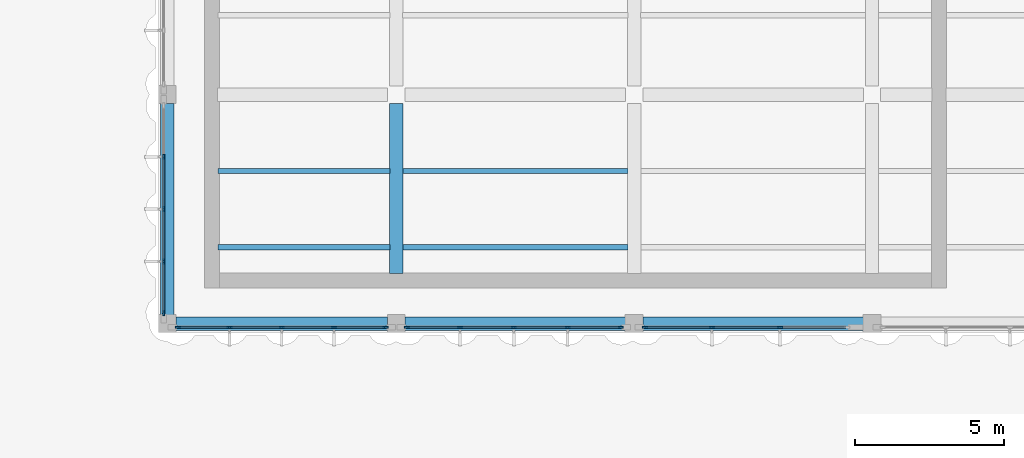
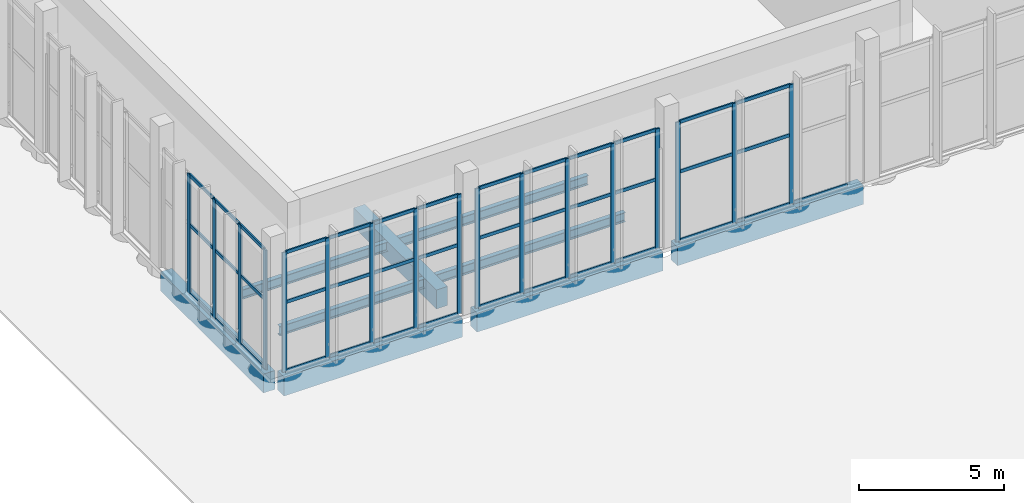
# One storey, part 22 of 155: 57 members, 9 beams, 4 elements without a shape of their own.
"""IFC4 building model written with IfcOpenShell, lengths in metres."""

import ifcopenshell
import ifcopenshell.guid

model = None  # the IFC model being written
_history = None  # IfcOwnerHistory: only IFC2X3 demands one
_inside = {}  # id of a spatial element -> (the spatial element, [elements in it])
_under = {}  # id of a project, library or spatial element -> (it, [spatial elements below it])
_declared = {}  # id of a project -> (the project, [libraries it declares])
_typed = {}  # id of a type object -> (the type object, [elements of that type])
_made_of = {}  # id of a material, layer set ... -> (it, [elements and type objects made of it])


def new_model(schema):
    """Start an empty IFC model of exactly this schema.

    Asked for "IFC4X3", IfcOpenShell would pick the latest addendum, in which some entities
    have other attributes; the version numbers below select the first issue.
    IFC2X3 requires an IfcOwnerHistory on every rooted entity: one is made here for all.
    """
    global model, _history
    if schema == "IFC4X3":
        model = ifcopenshell.file(schema_version=(4, 3, 0, 0))
    else:
        model = ifcopenshell.file(schema=schema)
    _inside.clear()
    _under.clear()
    _declared.clear()
    _typed.clear()
    _made_of.clear()
    _history = None
    if model.schema == "IFC2X3":
        org = make("IfcOrganization", Name="unknown")
        user = make(
            "IfcPersonAndOrganization",
            ThePerson=make("IfcPerson", FamilyName="unknown"),
            TheOrganization=org,
        )
        app = make(
            "IfcApplication",
            ApplicationDeveloper=org,
            Version="unknown",
            ApplicationFullName="unknown",
            ApplicationIdentifier="unknown",
        )
        _history = make(
            "IfcOwnerHistory",
            OwningUser=user,
            OwningApplication=app,
            ChangeAction="ADDED",
            CreationDate=0,
        )
    return model


def make(cls, **values):
    """One entity of the class cls with the attributes given. An attribute that is None is left unset."""
    return model.create_entity(
        cls, **{name: value for name, value in values.items() if value is not None}
    )


def rooted(cls, **values):
    """An entity with a GlobalId (a new one), such as an element, a storey or a relation."""
    return make(cls, GlobalId=ifcopenshell.guid.new(), OwnerHistory=_history, **values)


def si_unit(unit_type, name, prefix=None):
    """IfcSIUnit, for example si_unit("LENGTHUNIT", "METRE", prefix="MILLI")."""
    return make("IfcSIUnit", UnitType=unit_type, Prefix=prefix, Name=name)


def assignment(units):
    """IfcUnitAssignment: the units of a project."""
    return None if units is None else make("IfcUnitAssignment", Units=units)


def point(xyz):
    """IfcCartesianPoint."""
    return None if xyz is None else make("IfcCartesianPoint", Coordinates=xyz)


def direction(xyz):
    """IfcDirection."""
    return None if xyz is None else make("IfcDirection", DirectionRatios=xyz)


def frame(location, z_axis=None, x_axis=None):
    """IfcAxis2Placement3D, a coordinate frame: its origin and axes. An axis left out is left unset."""
    return make(
        "IfcAxis2Placement3D",
        Location=point(location),
        Axis=direction(z_axis),
        RefDirection=direction(x_axis),
    )


def frame_2d(location, x_axis=None):
    """IfcAxis2Placement2D, a coordinate frame in the plane: its origin and x axis."""
    return make(
        "IfcAxis2Placement2D", Location=point(location), RefDirection=direction(x_axis)
    )


def origin():
    """The frame at (0, 0, 0) with its axes left unset."""
    return frame((0.0, 0.0, 0.0))


def origin_2d():
    """The frame at (0, 0) in the plane with its x axis left unset."""
    return frame_2d((0.0, 0.0))


def place(relative_to, where):
    """IfcLocalPlacement: puts the frame where relative to a parent placement (None: the world)."""
    return make(
        "IfcLocalPlacement", PlacementRelTo=relative_to, RelativePlacement=where
    )


def context(
    kind, dimensions, precision=None, world=None, true_north=None, identifier=None
):
    """IfcGeometricRepresentationContext, for example the 3D "Model" context."""
    return make(
        "IfcGeometricRepresentationContext",
        ContextIdentifier=identifier,
        ContextType=kind,
        CoordinateSpaceDimension=dimensions,
        Precision=precision,
        WorldCoordinateSystem=world,
        TrueNorth=true_north,
    )


def subcontext(parent, identifier, kind, view, scale=None):
    """IfcGeometricRepresentationSubContext, for example "Body" below "Model"."""
    return make(
        "IfcGeometricRepresentationSubContext",
        ContextIdentifier=identifier,
        ContextType=kind,
        ParentContext=parent,
        TargetScale=scale,
        TargetView=view,
    )


def project(units=None, contexts=None):
    """IfcProject with its units and contexts."""
    return rooted(
        "IfcProject",
        Name="project",
        RepresentationContexts=contexts,
        UnitsInContext=assignment(units),
    )


def spatial(cls, under=None, at=None, **own):
    """A site, building, storey or space (cls), placed at a placement, below another one or the project."""
    s = rooted(cls, ObjectPlacement=at, **own)
    if under is not None:
        _under.setdefault(under.id(), (under, []))[1].append(s)
    return s


def profile(cls, at=None, kind="AREA", **sizes):
    """A parametric profile (cls). Its sizes go by their IFC names, for example OverallWidth=200.0."""
    return make(cls, ProfileType=kind, Position=at, **sizes)


def rectangle(**sizes):
    """IfcRectangleProfileDef."""
    return profile("IfcRectangleProfileDef", **sizes)


def i_section(**sizes):
    """IfcIShapeProfileDef."""
    return profile("IfcIShapeProfileDef", **sizes)


def extrude(swept, where, along, depth):
    """IfcExtrudedAreaSolid: the profile swept, set in the frame where, extruded along a direction by depth."""
    return make(
        "IfcExtrudedAreaSolid",
        SweptArea=swept,
        Position=where,
        ExtrudedDirection=direction(along),
        Depth=depth,
    )


def shape(context_of_items, identifier, shape_type, items):
    """IfcShapeRepresentation: the items that make up one representation, for example the "Body"."""
    return make(
        "IfcShapeRepresentation",
        ContextOfItems=context_of_items,
        RepresentationIdentifier=identifier,
        RepresentationType=shape_type,
        Items=items,
    )


def material(Name=None, Category=None):
    """IfcMaterial."""
    return make("IfcMaterial", Name=Name, Category=Category)


def layer(
    of_material, thickness, ventilated=None, Name=None, Category=None, Priority=None
):
    """IfcMaterialLayer: one layer of a wall or slab, of a material (None: an air gap)."""
    return make(
        "IfcMaterialLayer",
        Material=of_material,
        LayerThickness=thickness,
        IsVentilated=ventilated,
        Name=Name,
        Category=Category,
        Priority=Priority,
    )


def layer_set(layers, Name=None):
    """IfcMaterialLayerSet."""
    return make("IfcMaterialLayerSet", MaterialLayers=layers, LayerSetName=Name)


def material_profile(
    of_material, cross_section, Name=None, Category=None, Priority=None
):
    """IfcMaterialProfile: a cross section and its material."""
    return make(
        "IfcMaterialProfile",
        Name=Name,
        Material=of_material,
        Profile=cross_section,
        Priority=Priority,
        Category=Category,
    )


def profile_set(profiles, Name=None, composite=None):
    """IfcMaterialProfileSet."""
    return make(
        "IfcMaterialProfileSet",
        Name=Name,
        MaterialProfiles=profiles,
        CompositeProfile=composite,
    )


def made_of(thing, what):
    """Note that an element or type object is made of a material, layer set ...; save() writes the relation."""
    if what is not None:
        _made_of.setdefault(what.id(), (what, []))[1].append(thing)
    return thing


def type_object(cls, material=None, **own):
    """A type object (cls), such as IfcWallType, which elements share."""
    return made_of(rooted(cls, **own), material)


def element(
    cls,
    number,
    at=None,
    inside=None,
    cuts=None,
    type_object=None,
    material=None,
    context=None,
    identifier="Body",
    shape_type=None,
    held_by="IfcProductDefinitionShape",
    body=None,
    shapes=None,
    **own,
):
    """One element of the class cls, such as IfcWall. Its Tag is "e" and its number.

    at: its placement. inside: the storey or other place that contains it. cuts: it is an
    opening in that element (IfcRelVoidsElement). A single representation is given by context,
    identifier, shape_type and body (its items); several are given by shapes. held_by: the class
    of the entity that holds the representations. save() writes the other relations.
    """
    e = rooted(cls, Tag="e%d" % number, ObjectPlacement=at, **own)
    if body is not None:
        shapes = [shape(context, identifier, shape_type, body)]
    if shapes is not None:
        e.Representation = make(held_by, Representations=shapes)
    if inside is not None:
        _inside.setdefault(inside.id(), (inside, []))[1].append(e)
    if cuts is not None:
        rooted(
            "IfcRelVoidsElement", RelatingBuildingElement=cuts, RelatedOpeningElement=e
        )
    if type_object is not None:
        _typed.setdefault(type_object.id(), (type_object, []))[1].append(e)
    return made_of(e, material)


def aggregate(whole, parts):
    """IfcRelAggregates: a whole, such as a stair, and the parts it consists of."""
    return rooted("IfcRelAggregates", RelatingObject=whole, RelatedObjects=parts)


def save(model, path):
    """Write the relations noted so far, then the file.

    IfcRelAggregates (storeys below a building ...), IfcRelContainedInSpatialStructure (elements
    in a storey), IfcRelDefinesByType, IfcRelAssociatesMaterial and IfcRelDeclares: one each for
    every whole, place, type object, material and project.
    """
    for whole, parts in _under.values():
        aggregate(whole, parts)
    for where, things in _inside.values():
        rooted(
            "IfcRelContainedInSpatialStructure",
            RelatedElements=things,
            RelatingStructure=where,
        )
    for kind, things in _typed.values():
        rooted("IfcRelDefinesByType", RelatedObjects=things, RelatingType=kind)
    for what, things in _made_of.values():
        rooted("IfcRelAssociatesMaterial", RelatedObjects=things, RelatingMaterial=what)
    for by, libraries in _declared.values():
        rooted("IfcRelDeclares", RelatingContext=by, RelatedDefinitions=libraries)
    model.write(path)


model = new_model("IFC4")

# Units and contexts
model_context = context("Model", 3, precision=1e-05, world=origin(), true_north=direction((0.0, 1.0)))
body_context = subcontext(model_context, "Body", "Model", "MODEL_VIEW")
ifc_project = project(units=[si_unit("LENGTHUNIT", "METRE"), si_unit("AREAUNIT", "SQUARE_METRE"), si_unit("VOLUMEUNIT", "CUBIC_METRE"), si_unit("PLANEANGLEUNIT", "RADIAN"), si_unit("MASSUNIT", "GRAM", prefix="KILO")], contexts=[model_context])

# Site, building, storey
site_placement = place(None, origin())
site = spatial("IfcSite", under=ifc_project, at=site_placement, CompositionType="ELEMENT")
building_placement = place(site_placement, origin())
building = spatial("IfcBuilding", under=site, at=building_placement, Name="Lunette Opera House", CompositionType="ELEMENT")
storey_placement = place(building_placement, origin())
storey = spatial("IfcBuildingStorey", under=building, at=storey_placement, Name="L00", CompositionType="ELEMENT", Elevation=0.0)

# Curtain wall, members
ifc_material_1 = material(Name="Aluminium", Category="aluminium")
ifc_layer = layer(ifc_material_1, 0.179931640625)
ifc_layer_set = layer_set([ifc_layer], Name="Aluminium")
curtain_wall_type = type_object("IfcCurtainWallType", Name="SUN FACE CURTAIN WALL", PredefinedType="NOTDEFINED", material=ifc_layer_set)
curtain_wall_1_placement = place(storey_placement, origin())
curtain_wall_1 = element("IfcCurtainWall", 1, at=curtain_wall_1_placement, inside=storey, type_object=curtain_wall_type, Name="Sun Face Curtain Wall F12 L00", PredefinedType="NOTDEFINED")
ifc_material_2 = material(Name="Aluminium", Category="aluminium")
ifc_material_profile_1 = material_profile(ifc_material_2, rectangle(XDim=0.06005859375, YDim=0.179931640625, at=origin_2d()), Name="MULLION 60 X 180")
ifc_profile_set_1 = profile_set([ifc_material_profile_1], Name="Aluminium")
member_type_1 = type_object("IfcMemberType", Name="MULLION 60 X 180", PredefinedType="MULLION", material=ifc_profile_set_1)
member_1_placement = place(storey_placement, frame((8.181884765625, 69.909912109375, 0.0), z_axis=(0.0, 0.0, 1.0), x_axis=(1.0, 0.0, 0.0)))
member_1 = element("IfcMember", 2, at=member_1_placement, type_object=member_type_1, Name="RW-X2006 mullion 2", PredefinedType="MULLION", context=body_context, shape_type="SweptSolid", body=[
    extrude(rectangle(XDim=0.06005859375, YDim=0.179931640625, at=origin_2d()), origin(), (0.0, 0.0, 1.0), 5.050048828125),
])
member_2_placement = place(storey_placement, frame((8.181884765625, 68.14990234375, 0.0), z_axis=(0.0, 0.0, 1.0), x_axis=(1.0, 0.0, 0.0)))
member_2 = element("IfcMember", 3, at=member_2_placement, type_object=member_type_1, Name="RW-X2006 mullion 3", PredefinedType="MULLION", context=body_context, shape_type="SweptSolid", body=[
    extrude(rectangle(XDim=0.06005859375, YDim=0.179931640625, at=origin_2d()), origin(), (0.0, 0.0, 1.0), 5.050048828125),
])
member_3_placement = place(storey_placement, frame((8.181884765625, 66.389892578125, 0.0), z_axis=(0.0, 0.0, 1.0), x_axis=(1.0, 0.0, 0.0)))
member_3 = element("IfcMember", 4, at=member_3_placement, type_object=member_type_1, Name="RW-X2006 mullion 4", PredefinedType="MULLION", context=body_context, shape_type="SweptSolid", body=[
    extrude(rectangle(XDim=0.06005859375, YDim=0.179931640625, at=origin_2d()), origin(), (0.0, 0.0, 1.0), 5.050048828125),
])
member_4_placement = place(storey_placement, frame((8.181884765625, 64.659912109375, 0.0), z_axis=(0.0, 0.0, 1.0), x_axis=(1.0, 0.0, 0.0)))
member_4 = element("IfcMember", 5, at=member_4_placement, type_object=member_type_1, Name="RW-X2006 mullion 5", PredefinedType="MULLION", context=body_context, shape_type="SweptSolid", body=[
    extrude(rectangle(XDim=0.06005859375, YDim=0.179931640625, at=origin_2d()), origin(), (0.0, 0.0, 1.0), 5.050048828125),
])

curtain_wall_2_placement = place(storey_placement, origin())
curtain_wall_2 = element("IfcCurtainWall", 6, at=curtain_wall_2_placement, inside=storey, type_object=curtain_wall_type, Name="Sun Face Curtain Wall F13 L00", PredefinedType="NOTDEFINED")
member_5_placement = place(storey_placement, frame((8.659912109375, 64.18310546875, 0.0), z_axis=(0.0, 0.0, 1.0), x_axis=(0.0, 1.0, 0.0)))
member_5 = element("IfcMember", 7, at=member_5_placement, type_object=member_type_1, Name="RW-X2007 mullion 1", PredefinedType="MULLION", context=body_context, shape_type="SweptSolid", body=[
    extrude(rectangle(XDim=0.06005859375, YDim=0.179931640625, at=origin_2d()), origin(), (0.0, 0.0, 1.0), 5.050048828125),
])
member_6_placement = place(storey_placement, frame((10.389892578125, 64.18310546875, 0.0), z_axis=(0.0, 0.0, 1.0), x_axis=(0.0, 1.0, 0.0)))
member_6 = element("IfcMember", 8, at=member_6_placement, type_object=member_type_1, Name="RW-X2007 mullion 2", PredefinedType="MULLION", context=body_context, shape_type="SweptSolid", body=[
    extrude(rectangle(XDim=0.06005859375, YDim=0.179931640625, at=origin_2d()), origin(), (0.0, 0.0, 1.0), 5.050048828125),
])
member_7_placement = place(storey_placement, frame((12.14990234375, 64.18310546875, 0.0), z_axis=(0.0, 0.0, 1.0), x_axis=(0.0, 1.0, 0.0)))
member_7 = element("IfcMember", 9, at=member_7_placement, type_object=member_type_1, Name="RW-X2007 mullion 3", PredefinedType="MULLION", context=body_context, shape_type="SweptSolid", body=[
    extrude(rectangle(XDim=0.06005859375, YDim=0.179931640625, at=origin_2d()), origin(), (0.0, 0.0, 1.0), 5.050048828125),
])
member_8_placement = place(storey_placement, frame((13.909912109375, 64.18310546875, 0.0), z_axis=(0.0, 0.0, 1.0), x_axis=(0.0, 1.0, 0.0)))
member_8 = element("IfcMember", 10, at=member_8_placement, type_object=member_type_1, Name="RW-X2007 mullion 4", PredefinedType="MULLION", context=body_context, shape_type="SweptSolid", body=[
    extrude(rectangle(XDim=0.06005859375, YDim=0.179931640625, at=origin_2d()), origin(), (0.0, 0.0, 1.0), 5.050048828125),
])
member_9_placement = place(storey_placement, frame((15.639892578125, 64.18310546875, 0.0), z_axis=(0.0, 0.0, 1.0), x_axis=(0.0, 1.0, 0.0)))
member_9 = element("IfcMember", 11, at=member_9_placement, type_object=member_type_1, Name="RW-X2007 mullion 5", PredefinedType="MULLION", context=body_context, shape_type="SweptSolid", body=[
    extrude(rectangle(XDim=0.06005859375, YDim=0.179931640625, at=origin_2d()), origin(), (0.0, 0.0, 1.0), 5.050048828125),
])

curtain_wall_3_placement = place(storey_placement, origin())
curtain_wall_3 = element("IfcCurtainWall", 12, at=curtain_wall_3_placement, inside=storey, type_object=curtain_wall_type, Name="Sun Face Curtain Wall F14 L00", PredefinedType="NOTDEFINED")
member_10_placement = place(storey_placement, frame((16.360107421875, 64.18310546875, 0.0), z_axis=(0.0, 0.0, 1.0), x_axis=(0.0, 1.0, 0.0)))
member_10 = element("IfcMember", 13, at=member_10_placement, type_object=member_type_1, Name="RW-X2008 mullion 1", PredefinedType="MULLION", context=body_context, shape_type="SweptSolid", body=[
    extrude(rectangle(XDim=0.06005859375, YDim=0.179931640625, at=origin_2d()), origin(), (0.0, 0.0, 1.0), 5.050048828125),
])
member_11_placement = place(storey_placement, frame((18.141845703125, 64.18310546875, 0.0), z_axis=(0.0, 0.0, 1.0), x_axis=(0.0, 1.0, 0.0)))
member_11 = element("IfcMember", 14, at=member_11_placement, type_object=member_type_1, Name="RW-X2008 mullion 2", PredefinedType="MULLION", context=body_context, shape_type="SweptSolid", body=[
    extrude(rectangle(XDim=0.06005859375, YDim=0.179931640625, at=origin_2d()), origin(), (0.0, 0.0, 1.0), 5.050048828125),
])
member_12_placement = place(storey_placement, frame((19.95361328125, 64.18310546875, 0.0), z_axis=(0.0, 0.0, 1.0), x_axis=(0.0, 1.0, 0.0)))
member_12 = element("IfcMember", 15, at=member_12_placement, type_object=member_type_1, Name="RW-X2008 mullion 3", PredefinedType="MULLION", context=body_context, shape_type="SweptSolid", body=[
    extrude(rectangle(XDim=0.06005859375, YDim=0.179931640625, at=origin_2d()), origin(), (0.0, 0.0, 1.0), 5.050048828125),
])
member_13_placement = place(storey_placement, frame((21.76513671875, 64.18310546875, 0.0), z_axis=(0.0, 0.0, 1.0), x_axis=(0.0, 1.0, 0.0)))
member_13 = element("IfcMember", 16, at=member_13_placement, type_object=member_type_1, Name="RW-X2008 mullion 4", PredefinedType="MULLION", context=body_context, shape_type="SweptSolid", body=[
    extrude(rectangle(XDim=0.06005859375, YDim=0.179931640625, at=origin_2d()), origin(), (0.0, 0.0, 1.0), 5.050048828125),
])
member_14_placement = place(storey_placement, frame((23.547119140625, 64.18310546875, 0.0), z_axis=(0.0, 0.0, 1.0), x_axis=(0.0, 1.0, 0.0)))
member_14 = element("IfcMember", 17, at=member_14_placement, type_object=member_type_1, Name="RW-X2008 mullion 5", PredefinedType="MULLION", context=body_context, shape_type="SweptSolid", body=[
    extrude(rectangle(XDim=0.06005859375, YDim=0.179931640625, at=origin_2d()), origin(), (0.0, 0.0, 1.0), 5.050048828125),
])

curtain_wall_4_placement = place(storey_placement, origin())
curtain_wall_4 = element("IfcCurtainWall", 18, at=curtain_wall_4_placement, inside=storey, type_object=curtain_wall_type, Name="Sun Face Curtain Wall F15 L00", PredefinedType="NOTDEFINED")
member_15_placement = place(storey_placement, frame((24.360107421875, 64.18310546875, 0.0), z_axis=(0.0, 0.0, 1.0), x_axis=(0.0, 1.0, 0.0)))
member_15 = element("IfcMember", 19, at=member_15_placement, type_object=member_type_1, Name="RW-X2009 mullion 1", PredefinedType="MULLION", context=body_context, shape_type="SweptSolid", body=[
    extrude(rectangle(XDim=0.06005859375, YDim=0.179931640625, at=origin_2d()), origin(), (0.0, 0.0, 1.0), 5.050048828125),
])
member_16_placement = place(storey_placement, frame((26.6142578125, 64.18310546875, 0.0), z_axis=(0.0, 0.0, 1.0), x_axis=(0.0, 1.0, 0.0)))
member_16 = element("IfcMember", 20, at=member_16_placement, type_object=member_type_1, Name="RW-X2009 mullion 2", PredefinedType="MULLION", context=body_context, shape_type="SweptSolid", body=[
    extrude(rectangle(XDim=0.06005859375, YDim=0.179931640625, at=origin_2d()), origin(), (0.0, 0.0, 1.0), 5.050048828125),
])
member_17_placement = place(storey_placement, frame((28.898681640625, 64.18310546875, 0.0), z_axis=(0.0, 0.0, 1.0), x_axis=(0.0, 1.0, 0.0)))
member_17 = element("IfcMember", 21, at=member_17_placement, type_object=member_type_1, Name="RW-X2009 mullion 3", PredefinedType="MULLION", context=body_context, shape_type="SweptSolid", body=[
    extrude(rectangle(XDim=0.06005859375, YDim=0.179931640625, at=origin_2d()), origin(), (0.0, 0.0, 1.0), 5.050048828125),
])

# Beams
ifc_material_3 = material(Name="Concrete C35/45", Category="concrete")
ifc_material_profile_2 = material_profile(ifc_material_3, rectangle(XDim=0.449951171875, YDim=0.800048828125, at=origin_2d()), Name="RC BEAM 450X800")
ifc_profile_set_2 = profile_set([ifc_material_profile_2], Name="Concrete C35/45")
beam_type_1 = type_object("IfcBeamType", Name="RC BEAM 450X800", PredefinedType="BEAM", material=ifc_profile_set_2)
beam_1_placement = place(storey_placement, frame((8.300048828125, 64.590087890625, -0.550048828125), z_axis=(0.0, 1.0, 0.0), x_axis=(-1.0, 0.0, 0.0)))
element("IfcBeam", 22, at=beam_1_placement, inside=storey, type_object=beam_type_1, Name="beam-RW-L00-L00-GY00", PredefinedType="BEAM", context=body_context, shape_type="SweptSolid", body=[
    extrude(rectangle(XDim=0.449951171875, YDim=0.800048828125, at=origin_2d()), origin(), (0.0, 0.0, 1.0), 7.119873046875),
])
beam_2_placement = place(storey_placement, frame((16.0, 65.989990234375, -0.550048828125), z_axis=(0.0, 1.0, 0.0), x_axis=(-1.0, 0.0, 0.0)))
element("IfcBeam", 23, at=beam_2_placement, inside=storey, type_object=beam_type_1, Name="beam-RW-L00-L00-GY10", PredefinedType="BEAM", context=body_context, shape_type="SweptSolid", body=[
    extrude(rectangle(XDim=0.449951171875, YDim=0.800048828125, at=origin_2d()), origin(), (0.0, 0.0, 1.0), 5.719970703125),
])
beam_3_placement = place(storey_placement, frame((8.590087890625, 64.300048828125, -0.550048828125), z_axis=(1.0, 0.0, 0.0), x_axis=(0.0, 1.0, 0.0)))
element("IfcBeam", 24, at=beam_3_placement, inside=storey, type_object=beam_type_1, Name="beam-RW-L00-L00-GX00", PredefinedType="BEAM", context=body_context, shape_type="SweptSolid", body=[
    extrude(rectangle(XDim=0.449951171875, YDim=0.800048828125, at=origin_2d()), origin(), (0.0, 0.0, 1.0), 7.119873046875),
])
for number, where, z_axis, x_axis, name in (
    (25, (16.2900390625, 64.300048828125, -0.550048828125), (1.0, 0.0, 0.0), (0.0, 1.0, 0.0), "beam-RW-L00-L00-GX10"),
    (26, (24.2900390625, 64.300048828125, -0.550048828125), (1.0, 0.0, 0.0), (0.0, 1.0, 0.0), "beam-RW-L00-L00-GX20"),
):
    element("IfcBeam", number, at=place(storey_placement, frame(where, z_axis=z_axis, x_axis=x_axis)), inside=storey, type_object=beam_type_1, Name=name, PredefinedType="BEAM", context=body_context, shape_type="SweptSolid", body=[
        extrude(rectangle(XDim=0.449951171875, YDim=0.800048828125, at=origin_2d()), origin(), (0.0, 0.0, 1.0), 7.419921875),
    ])
ifc_material_4 = material(Name="Steel S355", Category="steel")
ifc_material_profile_3 = material_profile(ifc_material_4, i_section(OverallWidth=0.179931640625, OverallDepth=0.39990234375, WebThickness=0.008544921875, FlangeThickness=0.013427734375, FilletRadius=0.02099609375, at=origin_2d()), Name="IPE 400")
ifc_profile_set_3 = profile_set([ifc_material_profile_3], Name="Steel S355")
beam_type_2 = type_object("IfcBeamType", Name="STEEL BEAM IPE 400", PredefinedType="BEAM", material=ifc_profile_set_3)
for number, where, z_axis, x_axis, name in (
    (27, (10.0, 66.866943359375, -0.35009765625), (1.0, 0.0, 0.0), (0.0, 1.0, 0.0), "beam-RW-L00-L00-SX001-01"),
    (28, (10.0, 69.43310546875, -0.35009765625), (1.0, 0.0, 0.0), (0.0, 1.0, 0.0), "beam-RW-L00-L00-SX002-01"),
):
    element("IfcBeam", number, at=place(storey_placement, frame(where, z_axis=z_axis, x_axis=x_axis)), inside=storey, type_object=beam_type_2, Name=name, PredefinedType="BEAM", context=body_context, shape_type="SweptSolid", body=[
        extrude(i_section(OverallWidth=0.179931640625, OverallDepth=0.39990234375, WebThickness=0.008544921875, FlangeThickness=0.013427734375, FilletRadius=0.02099609375, at=origin_2d()), origin(), (0.0, 0.0, 1.0), 5.784912109375),
    ])
for number, where, z_axis, x_axis, name in (
    (29, (16.215087890625, 66.866943359375, -0.35009765625), (1.0, 0.0, 0.0), (0.0, 1.0, 0.0), "beam-RW-L00-L00-SX101"),
    (30, (16.215087890625, 69.43310546875, -0.35009765625), (1.0, 0.0, 0.0), (0.0, 1.0, 0.0), "beam-RW-L00-L00-SX102"),
):
    element("IfcBeam", number, at=place(storey_placement, frame(where, z_axis=z_axis, x_axis=x_axis)), inside=storey, type_object=beam_type_2, Name=name, PredefinedType="BEAM", context=body_context, shape_type="SweptSolid", body=[
        extrude(i_section(OverallWidth=0.179931640625, OverallDepth=0.39990234375, WebThickness=0.008544921875, FlangeThickness=0.013427734375, FilletRadius=0.02099609375, at=origin_2d()), origin(), (0.0, 0.0, 1.0), 7.56982421875),
    ])

# Member
ifc_material_5 = material(Name="Aluminium", Category="aluminium")
ifc_material_profile_4 = material_profile(ifc_material_5, rectangle(XDim=0.06005859375, YDim=0.139892578125, at=origin_2d()), Name="TRANSOM 60 X 140")
ifc_profile_set_4 = profile_set([ifc_material_profile_4], Name="Aluminium")
member_type_2 = type_object("IfcMemberType", Name="TRANSOM 60 X 140", PredefinedType="USERDEFINED", material=ifc_profile_set_4)
member_18_placement = place(storey_placement, frame((8.181884765625, 69.8798828125, 0.030029296875), z_axis=(0.0, -1.0, 0.0), x_axis=(1.0, 0.0, 0.0)))
member_18 = element("IfcMember", 31, at=member_18_placement, type_object=member_type_2, Name="RW-X2006 transom 2.1", ObjectType="TRANSOM", PredefinedType="USERDEFINED", context=body_context, shape_type="SweptSolid", body=[
    extrude(rectangle(XDim=0.06005859375, YDim=0.139892578125, at=origin_2d()), origin(), (0.0, 0.0, 1.0), 1.699951171875),
])

member_19_placement = place(storey_placement, frame((8.181884765625, 69.8798828125, 2.925048828125), z_axis=(0.0, -1.0, 0.0), x_axis=(1.0, 0.0, 0.0)))
member_19 = element("IfcMember", 32, at=member_19_placement, type_object=member_type_2, Name="RW-X2006 transom 2.2", ObjectType="TRANSOM", PredefinedType="USERDEFINED", context=body_context, shape_type="SweptSolid", body=[
    extrude(rectangle(XDim=0.06005859375, YDim=0.139892578125, at=origin_2d()), origin(), (0.0, 0.0, 1.0), 1.699951171875),
])

member_20_placement = place(storey_placement, frame((8.181884765625, 69.8798828125, 5.02001953125), z_axis=(0.0, -1.0, 0.0), x_axis=(1.0, 0.0, 0.0)))
member_20 = element("IfcMember", 33, at=member_20_placement, type_object=member_type_2, Name="RW-X2006 transom 2.3", ObjectType="TRANSOM", PredefinedType="USERDEFINED", context=body_context, shape_type="SweptSolid", body=[
    extrude(rectangle(XDim=0.06005859375, YDim=0.139892578125, at=origin_2d()), origin(), (0.0, 0.0, 1.0), 1.699951171875),
])

member_21_placement = place(storey_placement, frame((8.181884765625, 68.1201171875, 0.030029296875), z_axis=(0.0, -1.0, 0.0), x_axis=(1.0, 0.0, 0.0)))
member_21 = element("IfcMember", 34, at=member_21_placement, type_object=member_type_2, Name="RW-X2006 transom 3.1", ObjectType="TRANSOM", PredefinedType="USERDEFINED", context=body_context, shape_type="SweptSolid", body=[
    extrude(rectangle(XDim=0.06005859375, YDim=0.139892578125, at=origin_2d()), origin(), (0.0, 0.0, 1.0), 1.7001953125),
])

member_22_placement = place(storey_placement, frame((8.181884765625, 68.1201171875, 2.925048828125), z_axis=(0.0, -1.0, 0.0), x_axis=(1.0, 0.0, 0.0)))
member_22 = element("IfcMember", 35, at=member_22_placement, type_object=member_type_2, Name="RW-X2006 transom 3.2", ObjectType="TRANSOM", PredefinedType="USERDEFINED", context=body_context, shape_type="SweptSolid", body=[
    extrude(rectangle(XDim=0.06005859375, YDim=0.139892578125, at=origin_2d()), origin(), (0.0, 0.0, 1.0), 1.7001953125),
])

member_23_placement = place(storey_placement, frame((8.181884765625, 68.1201171875, 5.02001953125), z_axis=(0.0, -1.0, 0.0), x_axis=(1.0, 0.0, 0.0)))
member_23 = element("IfcMember", 36, at=member_23_placement, type_object=member_type_2, Name="RW-X2006 transom 3.3", ObjectType="TRANSOM", PredefinedType="USERDEFINED", context=body_context, shape_type="SweptSolid", body=[
    extrude(rectangle(XDim=0.06005859375, YDim=0.139892578125, at=origin_2d()), origin(), (0.0, 0.0, 1.0), 1.7001953125),
])

member_24_placement = place(storey_placement, frame((8.181884765625, 66.360107421875, 0.030029296875), z_axis=(0.0, -1.0, 0.0), x_axis=(1.0, 0.0, 0.0)))
member_24 = element("IfcMember", 37, at=member_24_placement, type_object=member_type_2, Name="RW-X2006 transom 4.1", ObjectType="TRANSOM", PredefinedType="USERDEFINED", context=body_context, shape_type="SweptSolid", body=[
    extrude(rectangle(XDim=0.06005859375, YDim=0.139892578125, at=origin_2d()), origin(), (0.0, 0.0, 1.0), 1.670166015625),
])

member_25_placement = place(storey_placement, frame((8.181884765625, 66.360107421875, 2.925048828125), z_axis=(0.0, -1.0, 0.0), x_axis=(1.0, 0.0, 0.0)))
member_25 = element("IfcMember", 38, at=member_25_placement, type_object=member_type_2, Name="RW-X2006 transom 4.2", ObjectType="TRANSOM", PredefinedType="USERDEFINED", context=body_context, shape_type="SweptSolid", body=[
    extrude(rectangle(XDim=0.06005859375, YDim=0.139892578125, at=origin_2d()), origin(), (0.0, 0.0, 1.0), 1.670166015625),
])

member_26_placement = place(storey_placement, frame((8.181884765625, 66.360107421875, 5.02001953125), z_axis=(0.0, -1.0, 0.0), x_axis=(1.0, 0.0, 0.0)))
member_26 = element("IfcMember", 39, at=member_26_placement, type_object=member_type_2, Name="RW-X2006 transom 4.3", ObjectType="TRANSOM", PredefinedType="USERDEFINED", context=body_context, shape_type="SweptSolid", body=[
    extrude(rectangle(XDim=0.06005859375, YDim=0.139892578125, at=origin_2d()), origin(), (0.0, 0.0, 1.0), 1.670166015625),
])

aggregate(curtain_wall_1, [member_1, member_2, member_3, member_4, member_18, member_19, member_20, member_21, member_22, member_23, member_24, member_25, member_26])

member_27_placement = place(storey_placement, frame((8.68994140625, 64.18310546875, 0.030029296875), z_axis=(1.0, 0.0, 0.0), x_axis=(0.0, 1.0, 0.0)))
member_27 = element("IfcMember", 40, at=member_27_placement, type_object=member_type_2, Name="RW-X2007 transom 1.1", ObjectType="TRANSOM", PredefinedType="USERDEFINED", context=body_context, shape_type="SweptSolid", body=[
    extrude(rectangle(XDim=0.06005859375, YDim=0.139892578125, at=origin_2d()), origin(), (0.0, 0.0, 1.0), 1.670166015625),
])

member_28_placement = place(storey_placement, frame((8.68994140625, 64.18310546875, 2.925048828125), z_axis=(1.0, 0.0, 0.0), x_axis=(0.0, 1.0, 0.0)))
member_28 = element("IfcMember", 41, at=member_28_placement, type_object=member_type_2, Name="RW-X2007 transom 1.2", ObjectType="TRANSOM", PredefinedType="USERDEFINED", context=body_context, shape_type="SweptSolid", body=[
    extrude(rectangle(XDim=0.06005859375, YDim=0.139892578125, at=origin_2d()), origin(), (0.0, 0.0, 1.0), 1.670166015625),
])

member_29_placement = place(storey_placement, frame((8.68994140625, 64.18310546875, 5.02001953125), z_axis=(1.0, 0.0, 0.0), x_axis=(0.0, 1.0, 0.0)))
member_29 = element("IfcMember", 42, at=member_29_placement, type_object=member_type_2, Name="RW-X2007 transom 1.3", ObjectType="TRANSOM", PredefinedType="USERDEFINED", context=body_context, shape_type="SweptSolid", body=[
    extrude(rectangle(XDim=0.06005859375, YDim=0.139892578125, at=origin_2d()), origin(), (0.0, 0.0, 1.0), 1.670166015625),
])

member_30_placement = place(storey_placement, frame((10.419921875, 64.18310546875, 0.030029296875), z_axis=(1.0, 0.0, 0.0), x_axis=(0.0, 1.0, 0.0)))
member_30 = element("IfcMember", 43, at=member_30_placement, type_object=member_type_2, Name="RW-X2007 transom 2.1", ObjectType="TRANSOM", PredefinedType="USERDEFINED", context=body_context, shape_type="SweptSolid", body=[
    extrude(rectangle(XDim=0.06005859375, YDim=0.139892578125, at=origin_2d()), origin(), (0.0, 0.0, 1.0), 1.7001953125),
])

member_31_placement = place(storey_placement, frame((10.419921875, 64.18310546875, 2.925048828125), z_axis=(1.0, 0.0, 0.0), x_axis=(0.0, 1.0, 0.0)))
member_31 = element("IfcMember", 44, at=member_31_placement, type_object=member_type_2, Name="RW-X2007 transom 2.2", ObjectType="TRANSOM", PredefinedType="USERDEFINED", context=body_context, shape_type="SweptSolid", body=[
    extrude(rectangle(XDim=0.06005859375, YDim=0.139892578125, at=origin_2d()), origin(), (0.0, 0.0, 1.0), 1.7001953125),
])

member_32_placement = place(storey_placement, frame((10.419921875, 64.18310546875, 5.02001953125), z_axis=(1.0, 0.0, 0.0), x_axis=(0.0, 1.0, 0.0)))
member_32 = element("IfcMember", 45, at=member_32_placement, type_object=member_type_2, Name="RW-X2007 transom 2.3", ObjectType="TRANSOM", PredefinedType="USERDEFINED", context=body_context, shape_type="SweptSolid", body=[
    extrude(rectangle(XDim=0.06005859375, YDim=0.139892578125, at=origin_2d()), origin(), (0.0, 0.0, 1.0), 1.7001953125),
])

member_33_placement = place(storey_placement, frame((12.179931640625, 64.18310546875, 0.030029296875), z_axis=(1.0, 0.0, 0.0), x_axis=(0.0, 1.0, 0.0)))
member_33 = element("IfcMember", 46, at=member_33_placement, type_object=member_type_2, Name="RW-X2007 transom 3.1", ObjectType="TRANSOM", PredefinedType="USERDEFINED", context=body_context, shape_type="SweptSolid", body=[
    extrude(rectangle(XDim=0.06005859375, YDim=0.139892578125, at=origin_2d()), origin(), (0.0, 0.0, 1.0), 1.699951171875),
])

member_34_placement = place(storey_placement, frame((12.179931640625, 64.18310546875, 2.925048828125), z_axis=(1.0, 0.0, 0.0), x_axis=(0.0, 1.0, 0.0)))
member_34 = element("IfcMember", 47, at=member_34_placement, type_object=member_type_2, Name="RW-X2007 transom 3.2", ObjectType="TRANSOM", PredefinedType="USERDEFINED", context=body_context, shape_type="SweptSolid", body=[
    extrude(rectangle(XDim=0.06005859375, YDim=0.139892578125, at=origin_2d()), origin(), (0.0, 0.0, 1.0), 1.699951171875),
])

member_35_placement = place(storey_placement, frame((12.179931640625, 64.18310546875, 5.02001953125), z_axis=(1.0, 0.0, 0.0), x_axis=(0.0, 1.0, 0.0)))
member_35 = element("IfcMember", 48, at=member_35_placement, type_object=member_type_2, Name="RW-X2007 transom 3.3", ObjectType="TRANSOM", PredefinedType="USERDEFINED", context=body_context, shape_type="SweptSolid", body=[
    extrude(rectangle(XDim=0.06005859375, YDim=0.139892578125, at=origin_2d()), origin(), (0.0, 0.0, 1.0), 1.699951171875),
])

member_36_placement = place(storey_placement, frame((13.93994140625, 64.18310546875, 0.030029296875), z_axis=(1.0, 0.0, 0.0), x_axis=(0.0, 1.0, 0.0)))
member_36 = element("IfcMember", 49, at=member_36_placement, type_object=member_type_2, Name="RW-X2007 transom 4.1", ObjectType="TRANSOM", PredefinedType="USERDEFINED", context=body_context, shape_type="SweptSolid", body=[
    extrude(rectangle(XDim=0.06005859375, YDim=0.139892578125, at=origin_2d()), origin(), (0.0, 0.0, 1.0), 1.670166015625),
])

member_37_placement = place(storey_placement, frame((13.93994140625, 64.18310546875, 2.925048828125), z_axis=(1.0, 0.0, 0.0), x_axis=(0.0, 1.0, 0.0)))
member_37 = element("IfcMember", 50, at=member_37_placement, type_object=member_type_2, Name="RW-X2007 transom 4.2", ObjectType="TRANSOM", PredefinedType="USERDEFINED", context=body_context, shape_type="SweptSolid", body=[
    extrude(rectangle(XDim=0.06005859375, YDim=0.139892578125, at=origin_2d()), origin(), (0.0, 0.0, 1.0), 1.670166015625),
])

member_38_placement = place(storey_placement, frame((13.93994140625, 64.18310546875, 5.02001953125), z_axis=(1.0, 0.0, 0.0), x_axis=(0.0, 1.0, 0.0)))
member_38 = element("IfcMember", 51, at=member_38_placement, type_object=member_type_2, Name="RW-X2007 transom 4.3", ObjectType="TRANSOM", PredefinedType="USERDEFINED", context=body_context, shape_type="SweptSolid", body=[
    extrude(rectangle(XDim=0.06005859375, YDim=0.139892578125, at=origin_2d()), origin(), (0.0, 0.0, 1.0), 1.670166015625),
])

aggregate(curtain_wall_2, [member_5, member_6, member_7, member_8, member_9, member_27, member_28, member_29, member_30, member_31, member_32, member_33, member_34, member_35, member_36, member_37, member_38])

member_39_placement = place(storey_placement, frame((16.389892578125, 64.18310546875, 0.030029296875), z_axis=(1.0, 0.0, 0.0), x_axis=(0.0, 1.0, 0.0)))
member_39 = element("IfcMember", 52, at=member_39_placement, type_object=member_type_2, Name="RW-X2008 transom 1.1", ObjectType="TRANSOM", PredefinedType="USERDEFINED", context=body_context, shape_type="SweptSolid", body=[
    extrude(rectangle(XDim=0.06005859375, YDim=0.139892578125, at=origin_2d()), origin(), (0.0, 0.0, 1.0), 1.721923828125),
])

member_40_placement = place(storey_placement, frame((16.389892578125, 64.18310546875, 2.925048828125), z_axis=(1.0, 0.0, 0.0), x_axis=(0.0, 1.0, 0.0)))
member_40 = element("IfcMember", 53, at=member_40_placement, type_object=member_type_2, Name="RW-X2008 transom 1.2", ObjectType="TRANSOM", PredefinedType="USERDEFINED", context=body_context, shape_type="SweptSolid", body=[
    extrude(rectangle(XDim=0.06005859375, YDim=0.139892578125, at=origin_2d()), origin(), (0.0, 0.0, 1.0), 1.721923828125),
])

member_41_placement = place(storey_placement, frame((16.389892578125, 64.18310546875, 5.02001953125), z_axis=(1.0, 0.0, 0.0), x_axis=(0.0, 1.0, 0.0)))
member_41 = element("IfcMember", 54, at=member_41_placement, type_object=member_type_2, Name="RW-X2008 transom 1.3", ObjectType="TRANSOM", PredefinedType="USERDEFINED", context=body_context, shape_type="SweptSolid", body=[
    extrude(rectangle(XDim=0.06005859375, YDim=0.139892578125, at=origin_2d()), origin(), (0.0, 0.0, 1.0), 1.721923828125),
])

member_42_placement = place(storey_placement, frame((18.171630859375, 64.18310546875, 0.030029296875), z_axis=(1.0, 0.0, 0.0), x_axis=(0.0, 1.0, 0.0)))
member_42 = element("IfcMember", 55, at=member_42_placement, type_object=member_type_2, Name="RW-X2008 transom 2.1", ObjectType="TRANSOM", PredefinedType="USERDEFINED", context=body_context, shape_type="SweptSolid", body=[
    extrude(rectangle(XDim=0.06005859375, YDim=0.139892578125, at=origin_2d()), origin(), (0.0, 0.0, 1.0), 1.751953125),
])

member_43_placement = place(storey_placement, frame((18.171630859375, 64.18310546875, 2.925048828125), z_axis=(1.0, 0.0, 0.0), x_axis=(0.0, 1.0, 0.0)))
member_43 = element("IfcMember", 56, at=member_43_placement, type_object=member_type_2, Name="RW-X2008 transom 2.2", ObjectType="TRANSOM", PredefinedType="USERDEFINED", context=body_context, shape_type="SweptSolid", body=[
    extrude(rectangle(XDim=0.06005859375, YDim=0.139892578125, at=origin_2d()), origin(), (0.0, 0.0, 1.0), 1.751953125),
])

member_44_placement = place(storey_placement, frame((18.171630859375, 64.18310546875, 5.02001953125), z_axis=(1.0, 0.0, 0.0), x_axis=(0.0, 1.0, 0.0)))
member_44 = element("IfcMember", 57, at=member_44_placement, type_object=member_type_2, Name="RW-X2008 transom 2.3", ObjectType="TRANSOM", PredefinedType="USERDEFINED", context=body_context, shape_type="SweptSolid", body=[
    extrude(rectangle(XDim=0.06005859375, YDim=0.139892578125, at=origin_2d()), origin(), (0.0, 0.0, 1.0), 1.751953125),
])

member_45_placement = place(storey_placement, frame((19.9833984375, 64.18310546875, 0.030029296875), z_axis=(1.0, 0.0, 0.0), x_axis=(0.0, 1.0, 0.0)))
member_45 = element("IfcMember", 58, at=member_45_placement, type_object=member_type_2, Name="RW-X2008 transom 3.1", ObjectType="TRANSOM", PredefinedType="USERDEFINED", context=body_context, shape_type="SweptSolid", body=[
    extrude(rectangle(XDim=0.06005859375, YDim=0.139892578125, at=origin_2d()), origin(), (0.0, 0.0, 1.0), 1.751953125),
])

member_46_placement = place(storey_placement, frame((19.9833984375, 64.18310546875, 2.925048828125), z_axis=(1.0, 0.0, 0.0), x_axis=(0.0, 1.0, 0.0)))
member_46 = element("IfcMember", 59, at=member_46_placement, type_object=member_type_2, Name="RW-X2008 transom 3.2", ObjectType="TRANSOM", PredefinedType="USERDEFINED", context=body_context, shape_type="SweptSolid", body=[
    extrude(rectangle(XDim=0.06005859375, YDim=0.139892578125, at=origin_2d()), origin(), (0.0, 0.0, 1.0), 1.751953125),
])

member_47_placement = place(storey_placement, frame((19.9833984375, 64.18310546875, 5.02001953125), z_axis=(1.0, 0.0, 0.0), x_axis=(0.0, 1.0, 0.0)))
member_47 = element("IfcMember", 60, at=member_47_placement, type_object=member_type_2, Name="RW-X2008 transom 3.3", ObjectType="TRANSOM", PredefinedType="USERDEFINED", context=body_context, shape_type="SweptSolid", body=[
    extrude(rectangle(XDim=0.06005859375, YDim=0.139892578125, at=origin_2d()), origin(), (0.0, 0.0, 1.0), 1.751953125),
])

member_48_placement = place(storey_placement, frame((21.795166015625, 64.18310546875, 0.030029296875), z_axis=(1.0, 0.0, 0.0), x_axis=(0.0, 1.0, 0.0)))
member_48 = element("IfcMember", 61, at=member_48_placement, type_object=member_type_2, Name="RW-X2008 transom 4.1", ObjectType="TRANSOM", PredefinedType="USERDEFINED", context=body_context, shape_type="SweptSolid", body=[
    extrude(rectangle(XDim=0.06005859375, YDim=0.139892578125, at=origin_2d()), origin(), (0.0, 0.0, 1.0), 1.721923828125),
])

member_49_placement = place(storey_placement, frame((21.795166015625, 64.18310546875, 2.925048828125), z_axis=(1.0, 0.0, 0.0), x_axis=(0.0, 1.0, 0.0)))
member_49 = element("IfcMember", 62, at=member_49_placement, type_object=member_type_2, Name="RW-X2008 transom 4.2", ObjectType="TRANSOM", PredefinedType="USERDEFINED", context=body_context, shape_type="SweptSolid", body=[
    extrude(rectangle(XDim=0.06005859375, YDim=0.139892578125, at=origin_2d()), origin(), (0.0, 0.0, 1.0), 1.721923828125),
])

member_50_placement = place(storey_placement, frame((21.795166015625, 64.18310546875, 5.02001953125), z_axis=(1.0, 0.0, 0.0), x_axis=(0.0, 1.0, 0.0)))
member_50 = element("IfcMember", 63, at=member_50_placement, type_object=member_type_2, Name="RW-X2008 transom 4.3", ObjectType="TRANSOM", PredefinedType="USERDEFINED", context=body_context, shape_type="SweptSolid", body=[
    extrude(rectangle(XDim=0.06005859375, YDim=0.139892578125, at=origin_2d()), origin(), (0.0, 0.0, 1.0), 1.721923828125),
])

aggregate(curtain_wall_3, [member_10, member_11, member_12, member_13, member_14, member_39, member_40, member_41, member_42, member_43, member_44, member_45, member_46, member_47, member_48, member_49, member_50])

member_51_placement = place(storey_placement, frame((24.389892578125, 64.18310546875, 0.030029296875), z_axis=(1.0, 0.0, 0.0), x_axis=(0.0, 1.0, 0.0)))
member_51 = element("IfcMember", 64, at=member_51_placement, type_object=member_type_2, Name="RW-X2009 transom 1.1", ObjectType="TRANSOM", PredefinedType="USERDEFINED", context=body_context, shape_type="SweptSolid", body=[
    extrude(rectangle(XDim=0.06005859375, YDim=0.139892578125, at=origin_2d()), origin(), (0.0, 0.0, 1.0), 2.1943359375),
])

member_52_placement = place(storey_placement, frame((24.389892578125, 64.18310546875, 2.925048828125), z_axis=(1.0, 0.0, 0.0), x_axis=(0.0, 1.0, 0.0)))
member_52 = element("IfcMember", 65, at=member_52_placement, type_object=member_type_2, Name="RW-X2009 transom 1.2", ObjectType="TRANSOM", PredefinedType="USERDEFINED", context=body_context, shape_type="SweptSolid", body=[
    extrude(rectangle(XDim=0.06005859375, YDim=0.139892578125, at=origin_2d()), origin(), (0.0, 0.0, 1.0), 2.1943359375),
])

member_53_placement = place(storey_placement, frame((24.389892578125, 64.18310546875, 5.02001953125), z_axis=(1.0, 0.0, 0.0), x_axis=(0.0, 1.0, 0.0)))
member_53 = element("IfcMember", 66, at=member_53_placement, type_object=member_type_2, Name="RW-X2009 transom 1.3", ObjectType="TRANSOM", PredefinedType="USERDEFINED", context=body_context, shape_type="SweptSolid", body=[
    extrude(rectangle(XDim=0.06005859375, YDim=0.139892578125, at=origin_2d()), origin(), (0.0, 0.0, 1.0), 2.1943359375),
])

member_54_placement = place(storey_placement, frame((26.644287109375, 64.18310546875, 0.030029296875), z_axis=(1.0, 0.0, 0.0), x_axis=(0.0, 1.0, 0.0)))
member_54 = element("IfcMember", 67, at=member_54_placement, type_object=member_type_2, Name="RW-X2009 transom 2.1", ObjectType="TRANSOM", PredefinedType="USERDEFINED", context=body_context, shape_type="SweptSolid", body=[
    extrude(rectangle(XDim=0.06005859375, YDim=0.139892578125, at=origin_2d()), origin(), (0.0, 0.0, 1.0), 2.224365234375),
])

member_55_placement = place(storey_placement, frame((26.644287109375, 64.18310546875, 2.925048828125), z_axis=(1.0, 0.0, 0.0), x_axis=(0.0, 1.0, 0.0)))
member_55 = element("IfcMember", 68, at=member_55_placement, type_object=member_type_2, Name="RW-X2009 transom 2.2", ObjectType="TRANSOM", PredefinedType="USERDEFINED", context=body_context, shape_type="SweptSolid", body=[
    extrude(rectangle(XDim=0.06005859375, YDim=0.139892578125, at=origin_2d()), origin(), (0.0, 0.0, 1.0), 2.224365234375),
])

member_56_placement = place(storey_placement, frame((26.644287109375, 64.18310546875, 5.02001953125), z_axis=(1.0, 0.0, 0.0), x_axis=(0.0, 1.0, 0.0)))
member_56 = element("IfcMember", 69, at=member_56_placement, type_object=member_type_2, Name="RW-X2009 transom 2.3", ObjectType="TRANSOM", PredefinedType="USERDEFINED", context=body_context, shape_type="SweptSolid", body=[
    extrude(rectangle(XDim=0.06005859375, YDim=0.139892578125, at=origin_2d()), origin(), (0.0, 0.0, 1.0), 2.224365234375),
])

member_57_placement = place(storey_placement, frame((28.9287109375, 64.18310546875, 0.030029296875), z_axis=(1.0, 0.0, 0.0), x_axis=(0.0, 1.0, 0.0)))
member_57 = element("IfcMember", 70, at=member_57_placement, type_object=member_type_2, Name="RW-X2009 transom 3.1", ObjectType="TRANSOM", PredefinedType="USERDEFINED", context=body_context, shape_type="SweptSolid", body=[
    extrude(rectangle(XDim=0.06005859375, YDim=0.139892578125, at=origin_2d()), origin(), (0.0, 0.0, 1.0), 2.1943359375),
])

aggregate(curtain_wall_4, [member_15, member_16, member_17, member_51, member_52, member_53, member_54, member_55, member_56, member_57])

save(model, "model.ifc")
